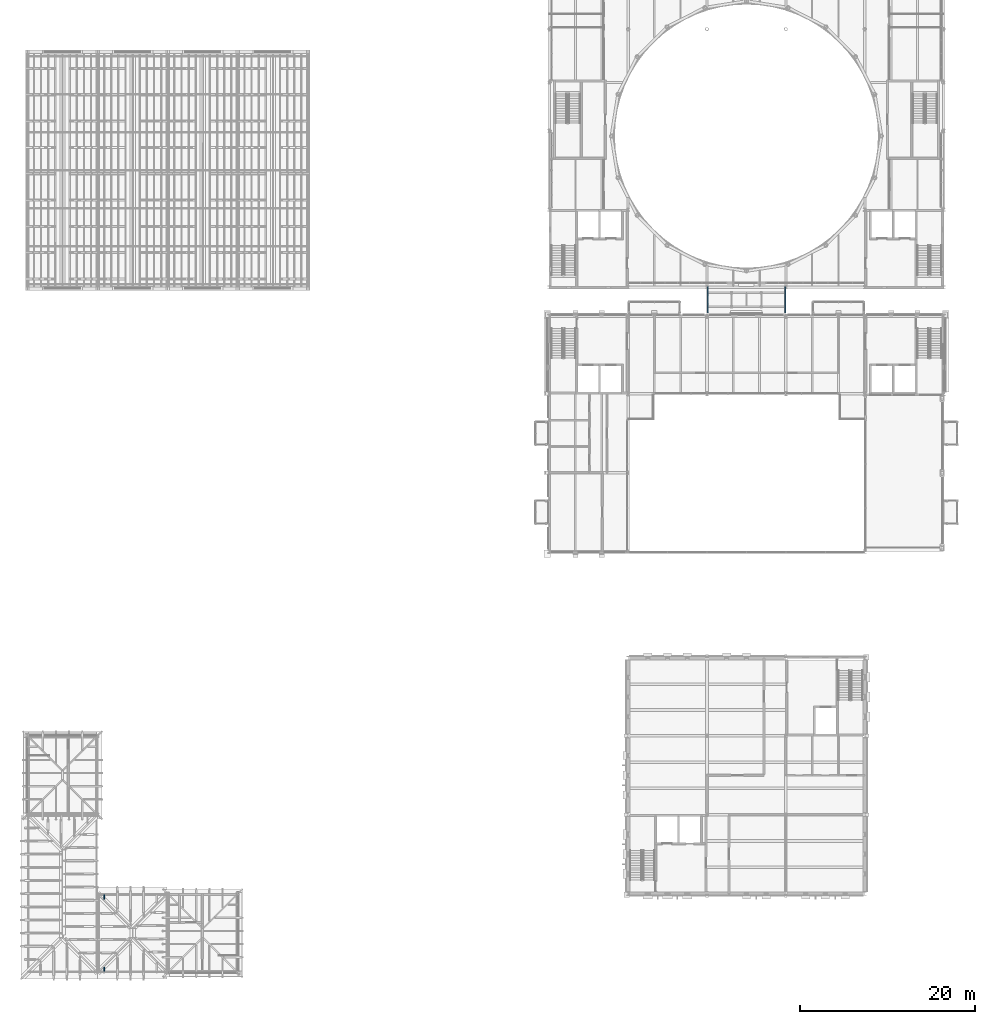
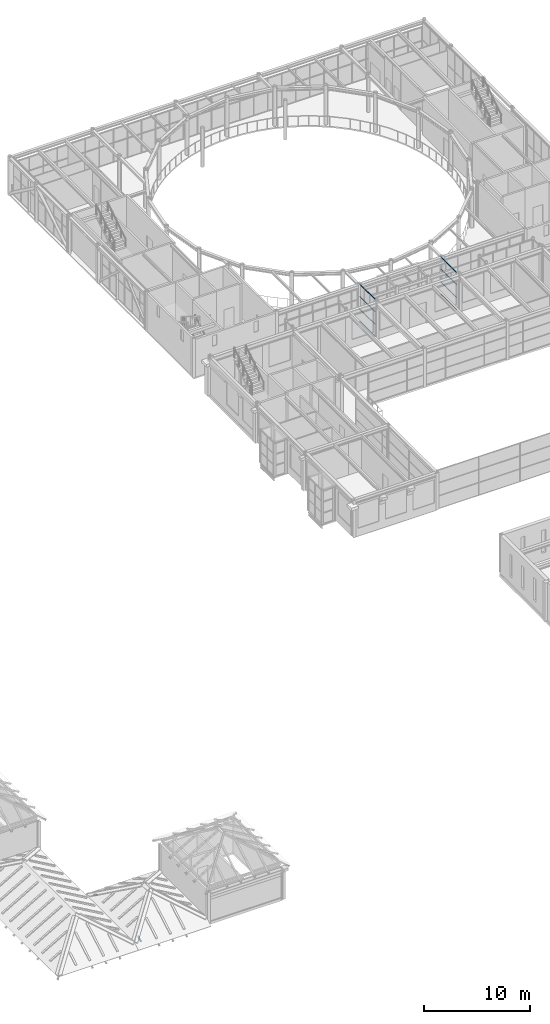
# One storey, part 56 of 111: 26 members, 2 elements without a shape of their own.
"""IFC4 building model written with IfcOpenShell, lengths in metres."""

import ifcopenshell
import ifcopenshell.guid

model = None  # the IFC model being written
_history = None  # IfcOwnerHistory: only IFC2X3 demands one
_inside = {}  # id of a spatial element -> (the spatial element, [elements in it])
_under = {}  # id of a project, library or spatial element -> (it, [spatial elements below it])
_declared = {}  # id of a project -> (the project, [libraries it declares])
_typed = {}  # id of a type object -> (the type object, [elements of that type])
_made_of = {}  # id of a material, layer set ... -> (it, [elements and type objects made of it])


def new_model(schema):
    """Start an empty IFC model of exactly this schema.

    Asked for "IFC4X3", IfcOpenShell would pick the latest addendum, in which some entities
    have other attributes; the version numbers below select the first issue.
    IFC2X3 requires an IfcOwnerHistory on every rooted entity: one is made here for all.
    """
    global model, _history
    if schema == "IFC4X3":
        model = ifcopenshell.file(schema_version=(4, 3, 0, 0))
    else:
        model = ifcopenshell.file(schema=schema)
    _inside.clear()
    _under.clear()
    _declared.clear()
    _typed.clear()
    _made_of.clear()
    _history = None
    if model.schema == "IFC2X3":
        org = make("IfcOrganization", Name="unknown")
        user = make(
            "IfcPersonAndOrganization",
            ThePerson=make("IfcPerson", FamilyName="unknown"),
            TheOrganization=org,
        )
        app = make(
            "IfcApplication",
            ApplicationDeveloper=org,
            Version="unknown",
            ApplicationFullName="unknown",
            ApplicationIdentifier="unknown",
        )
        _history = make(
            "IfcOwnerHistory",
            OwningUser=user,
            OwningApplication=app,
            ChangeAction="ADDED",
            CreationDate=0,
        )
    return model


def make(cls, **values):
    """One entity of the class cls with the attributes given. An attribute that is None is left unset."""
    return model.create_entity(
        cls, **{name: value for name, value in values.items() if value is not None}
    )


def rooted(cls, **values):
    """An entity with a GlobalId (a new one), such as an element, a storey or a relation."""
    return make(cls, GlobalId=ifcopenshell.guid.new(), OwnerHistory=_history, **values)


def si_unit(unit_type, name, prefix=None):
    """IfcSIUnit, for example si_unit("LENGTHUNIT", "METRE", prefix="MILLI")."""
    return make("IfcSIUnit", UnitType=unit_type, Prefix=prefix, Name=name)


def assignment(units):
    """IfcUnitAssignment: the units of a project."""
    return None if units is None else make("IfcUnitAssignment", Units=units)


def point(xyz):
    """IfcCartesianPoint."""
    return None if xyz is None else make("IfcCartesianPoint", Coordinates=xyz)


def direction(xyz):
    """IfcDirection."""
    return None if xyz is None else make("IfcDirection", DirectionRatios=xyz)


def frame(location, z_axis=None, x_axis=None):
    """IfcAxis2Placement3D, a coordinate frame: its origin and axes. An axis left out is left unset."""
    return make(
        "IfcAxis2Placement3D",
        Location=point(location),
        Axis=direction(z_axis),
        RefDirection=direction(x_axis),
    )


def frame_2d(location, x_axis=None):
    """IfcAxis2Placement2D, a coordinate frame in the plane: its origin and x axis."""
    return make(
        "IfcAxis2Placement2D", Location=point(location), RefDirection=direction(x_axis)
    )


def origin():
    """The frame at (0, 0, 0) with its axes left unset."""
    return frame((0.0, 0.0, 0.0))


def origin_2d():
    """The frame at (0, 0) in the plane with its x axis left unset."""
    return frame_2d((0.0, 0.0))


def place(relative_to, where):
    """IfcLocalPlacement: puts the frame where relative to a parent placement (None: the world)."""
    return make(
        "IfcLocalPlacement", PlacementRelTo=relative_to, RelativePlacement=where
    )


def context(
    kind, dimensions, precision=None, world=None, true_north=None, identifier=None
):
    """IfcGeometricRepresentationContext, for example the 3D "Model" context."""
    return make(
        "IfcGeometricRepresentationContext",
        ContextIdentifier=identifier,
        ContextType=kind,
        CoordinateSpaceDimension=dimensions,
        Precision=precision,
        WorldCoordinateSystem=world,
        TrueNorth=true_north,
    )


def subcontext(parent, identifier, kind, view, scale=None):
    """IfcGeometricRepresentationSubContext, for example "Body" below "Model"."""
    return make(
        "IfcGeometricRepresentationSubContext",
        ContextIdentifier=identifier,
        ContextType=kind,
        ParentContext=parent,
        TargetScale=scale,
        TargetView=view,
    )


def project(units=None, contexts=None):
    """IfcProject with its units and contexts."""
    return rooted(
        "IfcProject",
        Name="project",
        RepresentationContexts=contexts,
        UnitsInContext=assignment(units),
    )


def spatial(cls, under=None, at=None, **own):
    """A site, building, storey or space (cls), placed at a placement, below another one or the project."""
    s = rooted(cls, ObjectPlacement=at, **own)
    if under is not None:
        _under.setdefault(under.id(), (under, []))[1].append(s)
    return s


def profile(cls, at=None, kind="AREA", **sizes):
    """A parametric profile (cls). Its sizes go by their IFC names, for example OverallWidth=200.0."""
    return make(cls, ProfileType=kind, Position=at, **sizes)


def hollow_rectangle(**sizes):
    """IfcRectangleHollowProfileDef."""
    return profile("IfcRectangleHollowProfileDef", **sizes)


def extrude(swept, where, along, depth):
    """IfcExtrudedAreaSolid: the profile swept, set in the frame where, extruded along a direction by depth."""
    return make(
        "IfcExtrudedAreaSolid",
        SweptArea=swept,
        Position=where,
        ExtrudedDirection=direction(along),
        Depth=depth,
    )


def shape(context_of_items, identifier, shape_type, items):
    """IfcShapeRepresentation: the items that make up one representation, for example the "Body"."""
    return make(
        "IfcShapeRepresentation",
        ContextOfItems=context_of_items,
        RepresentationIdentifier=identifier,
        RepresentationType=shape_type,
        Items=items,
    )


def material(Name=None, Category=None):
    """IfcMaterial."""
    return make("IfcMaterial", Name=Name, Category=Category)


def material_profile(
    of_material, cross_section, Name=None, Category=None, Priority=None
):
    """IfcMaterialProfile: a cross section and its material."""
    return make(
        "IfcMaterialProfile",
        Name=Name,
        Material=of_material,
        Profile=cross_section,
        Priority=Priority,
        Category=Category,
    )


def profile_set(profiles, Name=None, composite=None):
    """IfcMaterialProfileSet."""
    return make(
        "IfcMaterialProfileSet",
        Name=Name,
        MaterialProfiles=profiles,
        CompositeProfile=composite,
    )


def made_of(thing, what):
    """Note that an element or type object is made of a material, layer set ...; save() writes the relation."""
    if what is not None:
        _made_of.setdefault(what.id(), (what, []))[1].append(thing)
    return thing


def type_object(cls, material=None, **own):
    """A type object (cls), such as IfcWallType, which elements share."""
    return made_of(rooted(cls, **own), material)


def element(
    cls,
    number,
    at=None,
    inside=None,
    cuts=None,
    type_object=None,
    material=None,
    context=None,
    identifier="Body",
    shape_type=None,
    held_by="IfcProductDefinitionShape",
    body=None,
    shapes=None,
    **own,
):
    """One element of the class cls, such as IfcWall. Its Tag is "e" and its number.

    at: its placement. inside: the storey or other place that contains it. cuts: it is an
    opening in that element (IfcRelVoidsElement). A single representation is given by context,
    identifier, shape_type and body (its items); several are given by shapes. held_by: the class
    of the entity that holds the representations. save() writes the other relations.
    """
    e = rooted(cls, Tag="e%d" % number, ObjectPlacement=at, **own)
    if body is not None:
        shapes = [shape(context, identifier, shape_type, body)]
    if shapes is not None:
        e.Representation = make(held_by, Representations=shapes)
    if inside is not None:
        _inside.setdefault(inside.id(), (inside, []))[1].append(e)
    if cuts is not None:
        rooted(
            "IfcRelVoidsElement", RelatingBuildingElement=cuts, RelatedOpeningElement=e
        )
    if type_object is not None:
        _typed.setdefault(type_object.id(), (type_object, []))[1].append(e)
    return made_of(e, material)


def aggregate(whole, parts):
    """IfcRelAggregates: a whole, such as a stair, and the parts it consists of."""
    return rooted("IfcRelAggregates", RelatingObject=whole, RelatedObjects=parts)


def save(model, path):
    """Write the relations noted so far, then the file.

    IfcRelAggregates (storeys below a building ...), IfcRelContainedInSpatialStructure (elements
    in a storey), IfcRelDefinesByType, IfcRelAssociatesMaterial and IfcRelDeclares: one each for
    every whole, place, type object, material and project.
    """
    for whole, parts in _under.values():
        aggregate(whole, parts)
    for where, things in _inside.values():
        rooted(
            "IfcRelContainedInSpatialStructure",
            RelatedElements=things,
            RelatingStructure=where,
        )
    for kind, things in _typed.values():
        rooted("IfcRelDefinesByType", RelatedObjects=things, RelatingType=kind)
    for what, things in _made_of.values():
        rooted("IfcRelAssociatesMaterial", RelatedObjects=things, RelatingMaterial=what)
    for by, libraries in _declared.values():
        rooted("IfcRelDeclares", RelatingContext=by, RelatedDefinitions=libraries)
    model.write(path)


model = new_model("IFC4")

# Units and contexts
model_context = context("Model", 3, precision=1e-05, world=origin(), true_north=direction((0.0, 1.0)))
body_context = subcontext(model_context, "Body", "Model", "MODEL_VIEW")
ifc_project = project(units=[si_unit("LENGTHUNIT", "METRE"), si_unit("AREAUNIT", "SQUARE_METRE"), si_unit("VOLUMEUNIT", "CUBIC_METRE"), si_unit("PLANEANGLEUNIT", "RADIAN"), si_unit("MASSUNIT", "GRAM", prefix="KILO")], contexts=[model_context])

# Site, building, storey
site_placement = place(None, origin())
site = spatial("IfcSite", under=ifc_project, at=site_placement, CompositionType="ELEMENT")
building_placement = place(site_placement, origin())
building = spatial("IfcBuilding", under=site, at=building_placement, Name="Kallimachos Central Library", CompositionType="ELEMENT")
storey_placement = place(building_placement, frame((0.0, 0.0, 14.39990234375)))
storey = spatial("IfcBuildingStorey", under=building, at=storey_placement, Name="L03", CompositionType="ELEMENT", Elevation=14.39990234375)

# Curtain wall, members
ifc_material_1 = material(Name="Aluminium and laminated glass", Category="aluminium")
curtain_wall_type = type_object("IfcCurtainWallType", Name="Link glazed wall", PredefinedType="NOTDEFINED", material=ifc_material_1)
curtain_wall_1_placement = place(storey_placement, origin())
curtain_wall_1 = element("IfcCurtainWall", 1, at=curtain_wall_1_placement, inside=storey, type_object=curtain_wall_type, Name="Reading Link glazed wall L03", PredefinedType="NOTDEFINED")
ifc_material_2 = material(Name="Anodised aluminium", Category="aluminium")
ifc_material_profile_1 = material_profile(ifc_material_2, hollow_rectangle(XDim=0.06005859375, YDim=0.080078125, WallThickness=0.00390625, at=origin_2d()), Name="ALU TRANSOM 60x80")
ifc_profile_set_1 = profile_set([ifc_material_profile_1], Name="Anodised aluminium")
member_type_1 = type_object("IfcMemberType", Name="ALU TRANSOM 60x80 transom", PredefinedType="USERDEFINED", material=ifc_profile_set_1)
member_1_placement = place(storey_placement, frame((83.580078125, 84.260009765625, 0.030029296875), z_axis=(0.0, 1.0, 0.0), x_axis=(0.0, 0.0, 1.0)))
member_1 = element("IfcMember", 2, at=member_1_placement, type_object=member_type_1, Name="CW68 transom 1.1", ObjectType="TRANSOM", PredefinedType="USERDEFINED", context=body_context, shape_type="SweptSolid", body=[
    extrude(hollow_rectangle(XDim=0.06005859375, YDim=0.080078125, WallThickness=0.00390625, at=origin_2d()), origin(), (0.0, 0.0, 1.0), 0.93505859375),
])
member_2_placement = place(storey_placement, frame((83.580078125, 84.260009765625, 1.4501953125), z_axis=(0.0, 1.0, 0.0), x_axis=(0.0, 0.0, 1.0)))
member_2 = element("IfcMember", 3, at=member_2_placement, type_object=member_type_1, Name="CW68 transom 1.2", ObjectType="TRANSOM", PredefinedType="USERDEFINED", context=body_context, shape_type="SweptSolid", body=[
    extrude(hollow_rectangle(XDim=0.06005859375, YDim=0.080078125, WallThickness=0.00390625, at=origin_2d()), origin(), (0.0, 0.0, 1.0), 0.93505859375),
])
member_3_placement = place(storey_placement, frame((83.580078125, 84.260009765625, 2.900146484375), z_axis=(0.0, 1.0, 0.0), x_axis=(0.0, 0.0, 1.0)))
member_3 = element("IfcMember", 4, at=member_3_placement, type_object=member_type_1, Name="CW68 transom 1.3", ObjectType="TRANSOM", PredefinedType="USERDEFINED", context=body_context, shape_type="SweptSolid", body=[
    extrude(hollow_rectangle(XDim=0.06005859375, YDim=0.080078125, WallThickness=0.00390625, at=origin_2d()), origin(), (0.0, 0.0, 1.0), 0.93505859375),
])
member_4_placement = place(storey_placement, frame((83.580078125, 84.260009765625, 4.320068359375), z_axis=(0.0, 1.0, 0.0), x_axis=(0.0, 0.0, 1.0)))
member_4 = element("IfcMember", 5, at=member_4_placement, type_object=member_type_1, Name="CW68 transom 1.4", ObjectType="TRANSOM", PredefinedType="USERDEFINED", context=body_context, shape_type="SweptSolid", body=[
    extrude(hollow_rectangle(XDim=0.06005859375, YDim=0.080078125, WallThickness=0.00390625, at=origin_2d()), origin(), (0.0, 0.0, 1.0), 0.93505859375),
])
member_5_placement = place(storey_placement, frame((83.580078125, 85.2548828125, 0.030029296875), z_axis=(0.0, 1.0, 0.0), x_axis=(0.0, 0.0, 1.0)))
member_5 = element("IfcMember", 6, at=member_5_placement, type_object=member_type_1, Name="CW68 transom 2.1", ObjectType="TRANSOM", PredefinedType="USERDEFINED", context=body_context, shape_type="SweptSolid", body=[
    extrude(hollow_rectangle(XDim=0.06005859375, YDim=0.080078125, WallThickness=0.00390625, at=origin_2d()), origin(), (0.0, 0.0, 1.0), 0.965087890625),
])
member_6_placement = place(storey_placement, frame((83.580078125, 85.2548828125, 1.4501953125), z_axis=(0.0, 1.0, 0.0), x_axis=(0.0, 0.0, 1.0)))
member_6 = element("IfcMember", 7, at=member_6_placement, type_object=member_type_1, Name="CW68 transom 2.2", ObjectType="TRANSOM", PredefinedType="USERDEFINED", context=body_context, shape_type="SweptSolid", body=[
    extrude(hollow_rectangle(XDim=0.06005859375, YDim=0.080078125, WallThickness=0.00390625, at=origin_2d()), origin(), (0.0, 0.0, 1.0), 0.965087890625),
])
member_7_placement = place(storey_placement, frame((83.580078125, 85.2548828125, 2.900146484375), z_axis=(0.0, 1.0, 0.0), x_axis=(0.0, 0.0, 1.0)))
member_7 = element("IfcMember", 8, at=member_7_placement, type_object=member_type_1, Name="CW68 transom 2.3", ObjectType="TRANSOM", PredefinedType="USERDEFINED", context=body_context, shape_type="SweptSolid", body=[
    extrude(hollow_rectangle(XDim=0.06005859375, YDim=0.080078125, WallThickness=0.00390625, at=origin_2d()), origin(), (0.0, 0.0, 1.0), 0.965087890625),
])
member_8_placement = place(storey_placement, frame((83.580078125, 85.2548828125, 4.320068359375), z_axis=(0.0, 1.0, 0.0), x_axis=(0.0, 0.0, 1.0)))
member_8 = element("IfcMember", 9, at=member_8_placement, type_object=member_type_1, Name="CW68 transom 2.4", ObjectType="TRANSOM", PredefinedType="USERDEFINED", context=body_context, shape_type="SweptSolid", body=[
    extrude(hollow_rectangle(XDim=0.06005859375, YDim=0.080078125, WallThickness=0.00390625, at=origin_2d()), origin(), (0.0, 0.0, 1.0), 0.965087890625),
])
member_9_placement = place(storey_placement, frame((83.580078125, 86.280029296875, 0.030029296875), z_axis=(0.0, 1.0, 0.0), x_axis=(0.0, 0.0, 1.0)))
member_9 = element("IfcMember", 10, at=member_9_placement, type_object=member_type_1, Name="CW68 transom 3.1", ObjectType="TRANSOM", PredefinedType="USERDEFINED", context=body_context, shape_type="SweptSolid", body=[
    extrude(hollow_rectangle(XDim=0.06005859375, YDim=0.080078125, WallThickness=0.00390625, at=origin_2d()), origin(), (0.0, 0.0, 1.0), 0.93505859375),
])
member_10_placement = place(storey_placement, frame((83.580078125, 86.280029296875, 1.4501953125), z_axis=(0.0, 1.0, 0.0), x_axis=(0.0, 0.0, 1.0)))
member_10 = element("IfcMember", 11, at=member_10_placement, type_object=member_type_1, Name="CW68 transom 3.2", ObjectType="TRANSOM", PredefinedType="USERDEFINED", context=body_context, shape_type="SweptSolid", body=[
    extrude(hollow_rectangle(XDim=0.06005859375, YDim=0.080078125, WallThickness=0.00390625, at=origin_2d()), origin(), (0.0, 0.0, 1.0), 0.93505859375),
])
member_11_placement = place(storey_placement, frame((83.580078125, 86.280029296875, 2.900146484375), z_axis=(0.0, 1.0, 0.0), x_axis=(0.0, 0.0, 1.0)))
member_11 = element("IfcMember", 12, at=member_11_placement, type_object=member_type_1, Name="CW68 transom 3.3", ObjectType="TRANSOM", PredefinedType="USERDEFINED", context=body_context, shape_type="SweptSolid", body=[
    extrude(hollow_rectangle(XDim=0.06005859375, YDim=0.080078125, WallThickness=0.00390625, at=origin_2d()), origin(), (0.0, 0.0, 1.0), 0.93505859375),
])
member_12_placement = place(storey_placement, frame((83.580078125, 86.280029296875, 4.320068359375), z_axis=(0.0, 1.0, 0.0), x_axis=(0.0, 0.0, 1.0)))
member_12 = element("IfcMember", 13, at=member_12_placement, type_object=member_type_1, Name="CW68 transom 3.4", ObjectType="TRANSOM", PredefinedType="USERDEFINED", context=body_context, shape_type="SweptSolid", body=[
    extrude(hollow_rectangle(XDim=0.06005859375, YDim=0.080078125, WallThickness=0.00390625, at=origin_2d()), origin(), (0.0, 0.0, 1.0), 0.93505859375),
])
aggregate(curtain_wall_1, [member_1, member_2, member_3, member_4, member_5, member_6, member_7, member_8, member_9, member_10, member_11, member_12])

curtain_wall_2_placement = place(storey_placement, origin())
curtain_wall_2 = element("IfcCurtainWall", 14, at=curtain_wall_2_placement, inside=storey, type_object=curtain_wall_type, Name="Reading Link glazed wall L03", PredefinedType="NOTDEFINED")
member_13_placement = place(storey_placement, frame((92.419921875, 84.260009765625, 0.030029296875), z_axis=(0.0, 1.0, 0.0), x_axis=(0.0, 0.0, 1.0)))
member_13 = element("IfcMember", 15, at=member_13_placement, type_object=member_type_1, Name="CW69 transom 1.1", ObjectType="TRANSOM", PredefinedType="USERDEFINED", context=body_context, shape_type="SweptSolid", body=[
    extrude(hollow_rectangle(XDim=0.06005859375, YDim=0.080078125, WallThickness=0.00390625, at=origin_2d()), origin(), (0.0, 0.0, 1.0), 0.93505859375),
])
member_14_placement = place(storey_placement, frame((92.419921875, 84.260009765625, 1.4501953125), z_axis=(0.0, 1.0, 0.0), x_axis=(0.0, 0.0, 1.0)))
member_14 = element("IfcMember", 16, at=member_14_placement, type_object=member_type_1, Name="CW69 transom 1.2", ObjectType="TRANSOM", PredefinedType="USERDEFINED", context=body_context, shape_type="SweptSolid", body=[
    extrude(hollow_rectangle(XDim=0.06005859375, YDim=0.080078125, WallThickness=0.00390625, at=origin_2d()), origin(), (0.0, 0.0, 1.0), 0.93505859375),
])
member_15_placement = place(storey_placement, frame((92.419921875, 84.260009765625, 2.900146484375), z_axis=(0.0, 1.0, 0.0), x_axis=(0.0, 0.0, 1.0)))
member_15 = element("IfcMember", 17, at=member_15_placement, type_object=member_type_1, Name="CW69 transom 1.3", ObjectType="TRANSOM", PredefinedType="USERDEFINED", context=body_context, shape_type="SweptSolid", body=[
    extrude(hollow_rectangle(XDim=0.06005859375, YDim=0.080078125, WallThickness=0.00390625, at=origin_2d()), origin(), (0.0, 0.0, 1.0), 0.93505859375),
])
member_16_placement = place(storey_placement, frame((92.419921875, 84.260009765625, 4.320068359375), z_axis=(0.0, 1.0, 0.0), x_axis=(0.0, 0.0, 1.0)))
member_16 = element("IfcMember", 18, at=member_16_placement, type_object=member_type_1, Name="CW69 transom 1.4", ObjectType="TRANSOM", PredefinedType="USERDEFINED", context=body_context, shape_type="SweptSolid", body=[
    extrude(hollow_rectangle(XDim=0.06005859375, YDim=0.080078125, WallThickness=0.00390625, at=origin_2d()), origin(), (0.0, 0.0, 1.0), 0.93505859375),
])
member_17_placement = place(storey_placement, frame((92.419921875, 85.2548828125, 0.030029296875), z_axis=(0.0, 1.0, 0.0), x_axis=(0.0, 0.0, 1.0)))
member_17 = element("IfcMember", 19, at=member_17_placement, type_object=member_type_1, Name="CW69 transom 2.1", ObjectType="TRANSOM", PredefinedType="USERDEFINED", context=body_context, shape_type="SweptSolid", body=[
    extrude(hollow_rectangle(XDim=0.06005859375, YDim=0.080078125, WallThickness=0.00390625, at=origin_2d()), origin(), (0.0, 0.0, 1.0), 0.965087890625),
])
member_18_placement = place(storey_placement, frame((92.419921875, 85.2548828125, 1.4501953125), z_axis=(0.0, 1.0, 0.0), x_axis=(0.0, 0.0, 1.0)))
member_18 = element("IfcMember", 20, at=member_18_placement, type_object=member_type_1, Name="CW69 transom 2.2", ObjectType="TRANSOM", PredefinedType="USERDEFINED", context=body_context, shape_type="SweptSolid", body=[
    extrude(hollow_rectangle(XDim=0.06005859375, YDim=0.080078125, WallThickness=0.00390625, at=origin_2d()), origin(), (0.0, 0.0, 1.0), 0.965087890625),
])
member_19_placement = place(storey_placement, frame((92.419921875, 85.2548828125, 2.900146484375), z_axis=(0.0, 1.0, 0.0), x_axis=(0.0, 0.0, 1.0)))
member_19 = element("IfcMember", 21, at=member_19_placement, type_object=member_type_1, Name="CW69 transom 2.3", ObjectType="TRANSOM", PredefinedType="USERDEFINED", context=body_context, shape_type="SweptSolid", body=[
    extrude(hollow_rectangle(XDim=0.06005859375, YDim=0.080078125, WallThickness=0.00390625, at=origin_2d()), origin(), (0.0, 0.0, 1.0), 0.965087890625),
])
member_20_placement = place(storey_placement, frame((92.419921875, 85.2548828125, 4.320068359375), z_axis=(0.0, 1.0, 0.0), x_axis=(0.0, 0.0, 1.0)))
member_20 = element("IfcMember", 22, at=member_20_placement, type_object=member_type_1, Name="CW69 transom 2.4", ObjectType="TRANSOM", PredefinedType="USERDEFINED", context=body_context, shape_type="SweptSolid", body=[
    extrude(hollow_rectangle(XDim=0.06005859375, YDim=0.080078125, WallThickness=0.00390625, at=origin_2d()), origin(), (0.0, 0.0, 1.0), 0.965087890625),
])
member_21_placement = place(storey_placement, frame((92.419921875, 86.280029296875, 0.030029296875), z_axis=(0.0, 1.0, 0.0), x_axis=(0.0, 0.0, 1.0)))
member_21 = element("IfcMember", 23, at=member_21_placement, type_object=member_type_1, Name="CW69 transom 3.1", ObjectType="TRANSOM", PredefinedType="USERDEFINED", context=body_context, shape_type="SweptSolid", body=[
    extrude(hollow_rectangle(XDim=0.06005859375, YDim=0.080078125, WallThickness=0.00390625, at=origin_2d()), origin(), (0.0, 0.0, 1.0), 0.93505859375),
])
member_22_placement = place(storey_placement, frame((92.419921875, 86.280029296875, 1.4501953125), z_axis=(0.0, 1.0, 0.0), x_axis=(0.0, 0.0, 1.0)))
member_22 = element("IfcMember", 24, at=member_22_placement, type_object=member_type_1, Name="CW69 transom 3.2", ObjectType="TRANSOM", PredefinedType="USERDEFINED", context=body_context, shape_type="SweptSolid", body=[
    extrude(hollow_rectangle(XDim=0.06005859375, YDim=0.080078125, WallThickness=0.00390625, at=origin_2d()), origin(), (0.0, 0.0, 1.0), 0.93505859375),
])
member_23_placement = place(storey_placement, frame((92.419921875, 86.280029296875, 2.900146484375), z_axis=(0.0, 1.0, 0.0), x_axis=(0.0, 0.0, 1.0)))
member_23 = element("IfcMember", 25, at=member_23_placement, type_object=member_type_1, Name="CW69 transom 3.3", ObjectType="TRANSOM", PredefinedType="USERDEFINED", context=body_context, shape_type="SweptSolid", body=[
    extrude(hollow_rectangle(XDim=0.06005859375, YDim=0.080078125, WallThickness=0.00390625, at=origin_2d()), origin(), (0.0, 0.0, 1.0), 0.93505859375),
])
member_24_placement = place(storey_placement, frame((92.419921875, 86.280029296875, 4.320068359375), z_axis=(0.0, 1.0, 0.0), x_axis=(0.0, 0.0, 1.0)))
member_24 = element("IfcMember", 26, at=member_24_placement, type_object=member_type_1, Name="CW69 transom 3.4", ObjectType="TRANSOM", PredefinedType="USERDEFINED", context=body_context, shape_type="SweptSolid", body=[
    extrude(hollow_rectangle(XDim=0.06005859375, YDim=0.080078125, WallThickness=0.00390625, at=origin_2d()), origin(), (0.0, 0.0, 1.0), 0.93505859375),
])
aggregate(curtain_wall_2, [member_13, member_14, member_15, member_16, member_17, member_18, member_19, member_20, member_21, member_22, member_23, member_24])

# Members
ifc_material_3 = material(Name="Steel S355J2H", Category="steel")
ifc_material_profile_2 = material_profile(ifc_material_3, hollow_rectangle(XDim=0.14990234375, YDim=0.14990234375, WallThickness=0.010009765625, InnerFilletRadius=0.010009765625, OuterFilletRadius=0.014892578125, at=origin_2d()), Name="SHS 150x150x10")
ifc_profile_set_2 = profile_set([ifc_material_profile_2], Name="Steel S355J2H")
member_type_2 = type_object("IfcMemberType", Name="SHS 150x150x10 rafter", PredefinedType="RAFTER", material=ifc_profile_set_2)
for number, where, z_axis, x_axis, name in (
    (27, (14.75, 9.050048828125, 0.35791015625), (0.0, 0.86609757561, 0.499874973892), (-1.0, 0.0, 0.0), "R1 rafter"),
    (28, (14.75, 17.949951171875, 0.35791015625), (0.0, -0.86609757561, 0.499874973892), (1.0, 0.0, 0.0), "R1 rafter"),
):
    element("IfcMember", number, at=place(storey_placement, frame(where, z_axis=z_axis, x_axis=x_axis)), inside=storey, type_object=member_type_2, Name=name, PredefinedType="RAFTER", context=body_context, shape_type="SweptSolid", body=[
        extrude(hollow_rectangle(XDim=0.14990234375, YDim=0.14990234375, WallThickness=0.010009765625, InnerFilletRadius=0.010009765625, OuterFilletRadius=0.014892578125, at=origin_2d()), origin(), (0.0, 0.0, 1.0), 0.646728515625),
    ])

save(model, "model.ifc")
